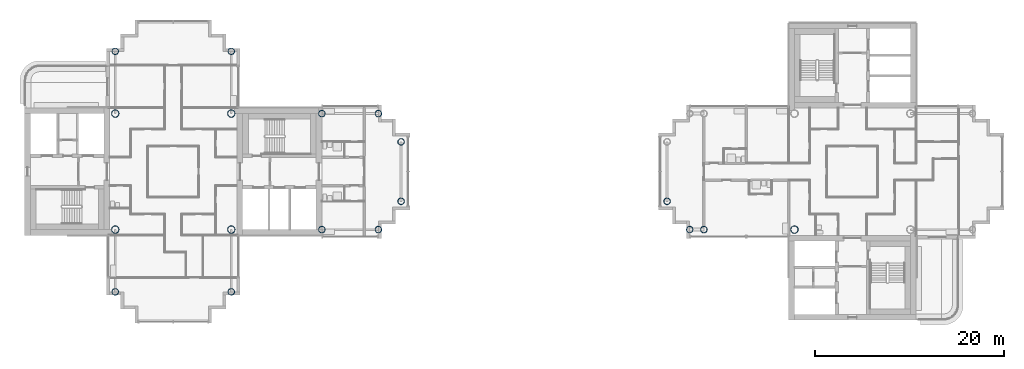
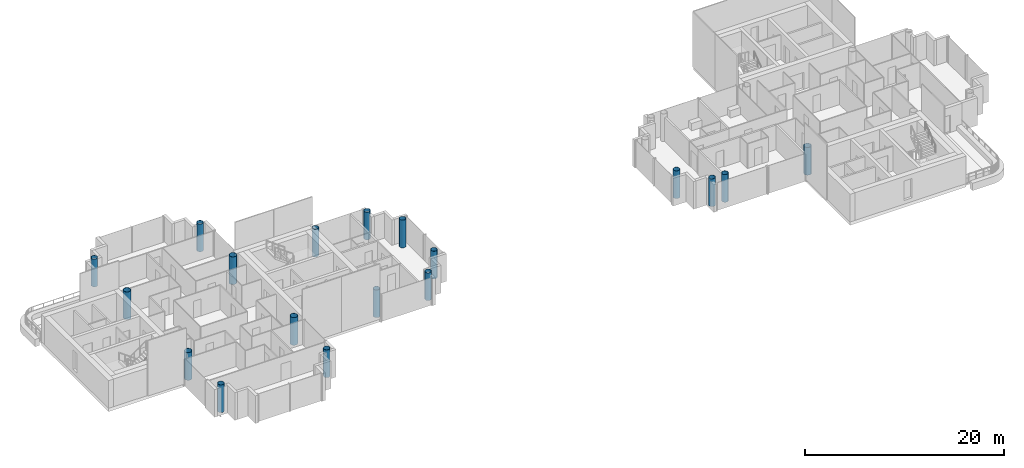
# One storey, part 1 of 18: 18 columns.
"""IFC4 building model written with IfcOpenShell, lengths in metres."""

import ifcopenshell
import ifcopenshell.guid

model = None  # the IFC model being written
_history = None  # IfcOwnerHistory: only IFC2X3 demands one
_inside = {}  # id of a spatial element -> (the spatial element, [elements in it])
_under = {}  # id of a project, library or spatial element -> (it, [spatial elements below it])
_declared = {}  # id of a project -> (the project, [libraries it declares])
_typed = {}  # id of a type object -> (the type object, [elements of that type])
_made_of = {}  # id of a material, layer set ... -> (it, [elements and type objects made of it])


def new_model(schema):
    """Start an empty IFC model of exactly this schema.

    Asked for "IFC4X3", IfcOpenShell would pick the latest addendum, in which some entities
    have other attributes; the version numbers below select the first issue.
    IFC2X3 requires an IfcOwnerHistory on every rooted entity: one is made here for all.
    """
    global model, _history
    if schema == "IFC4X3":
        model = ifcopenshell.file(schema_version=(4, 3, 0, 0))
    else:
        model = ifcopenshell.file(schema=schema)
    _inside.clear()
    _under.clear()
    _declared.clear()
    _typed.clear()
    _made_of.clear()
    _history = None
    if model.schema == "IFC2X3":
        org = make("IfcOrganization", Name="unknown")
        user = make(
            "IfcPersonAndOrganization",
            ThePerson=make("IfcPerson", FamilyName="unknown"),
            TheOrganization=org,
        )
        app = make(
            "IfcApplication",
            ApplicationDeveloper=org,
            Version="unknown",
            ApplicationFullName="unknown",
            ApplicationIdentifier="unknown",
        )
        _history = make(
            "IfcOwnerHistory",
            OwningUser=user,
            OwningApplication=app,
            ChangeAction="ADDED",
            CreationDate=0,
        )
    return model


def make(cls, **values):
    """One entity of the class cls with the attributes given. An attribute that is None is left unset."""
    return model.create_entity(
        cls, **{name: value for name, value in values.items() if value is not None}
    )


def rooted(cls, **values):
    """An entity with a GlobalId (a new one), such as an element, a storey or a relation."""
    return make(cls, GlobalId=ifcopenshell.guid.new(), OwnerHistory=_history, **values)


def si_unit(unit_type, name, prefix=None):
    """IfcSIUnit, for example si_unit("LENGTHUNIT", "METRE", prefix="MILLI")."""
    return make("IfcSIUnit", UnitType=unit_type, Prefix=prefix, Name=name)


def assignment(units):
    """IfcUnitAssignment: the units of a project."""
    return None if units is None else make("IfcUnitAssignment", Units=units)


def point(xyz):
    """IfcCartesianPoint."""
    return None if xyz is None else make("IfcCartesianPoint", Coordinates=xyz)


def direction(xyz):
    """IfcDirection."""
    return None if xyz is None else make("IfcDirection", DirectionRatios=xyz)


def frame(location, z_axis=None, x_axis=None):
    """IfcAxis2Placement3D, a coordinate frame: its origin and axes. An axis left out is left unset."""
    return make(
        "IfcAxis2Placement3D",
        Location=point(location),
        Axis=direction(z_axis),
        RefDirection=direction(x_axis),
    )


def frame_2d(location, x_axis=None):
    """IfcAxis2Placement2D, a coordinate frame in the plane: its origin and x axis."""
    return make(
        "IfcAxis2Placement2D", Location=point(location), RefDirection=direction(x_axis)
    )


def origin():
    """The frame at (0, 0, 0) with its axes left unset."""
    return frame((0.0, 0.0, 0.0))


def origin_2d():
    """The frame at (0, 0) in the plane with its x axis left unset."""
    return frame_2d((0.0, 0.0))


def place(relative_to, where):
    """IfcLocalPlacement: puts the frame where relative to a parent placement (None: the world)."""
    return make(
        "IfcLocalPlacement", PlacementRelTo=relative_to, RelativePlacement=where
    )


def context(
    kind, dimensions, precision=None, world=None, true_north=None, identifier=None
):
    """IfcGeometricRepresentationContext, for example the 3D "Model" context."""
    return make(
        "IfcGeometricRepresentationContext",
        ContextIdentifier=identifier,
        ContextType=kind,
        CoordinateSpaceDimension=dimensions,
        Precision=precision,
        WorldCoordinateSystem=world,
        TrueNorth=true_north,
    )


def subcontext(parent, identifier, kind, view, scale=None):
    """IfcGeometricRepresentationSubContext, for example "Body" below "Model"."""
    return make(
        "IfcGeometricRepresentationSubContext",
        ContextIdentifier=identifier,
        ContextType=kind,
        ParentContext=parent,
        TargetScale=scale,
        TargetView=view,
    )


def project(units=None, contexts=None):
    """IfcProject with its units and contexts."""
    return rooted(
        "IfcProject",
        Name="project",
        RepresentationContexts=contexts,
        UnitsInContext=assignment(units),
    )


def spatial(cls, under=None, at=None, **own):
    """A site, building, storey or space (cls), placed at a placement, below another one or the project."""
    s = rooted(cls, ObjectPlacement=at, **own)
    if under is not None:
        _under.setdefault(under.id(), (under, []))[1].append(s)
    return s


def profile(cls, at=None, kind="AREA", **sizes):
    """A parametric profile (cls). Its sizes go by their IFC names, for example OverallWidth=200.0."""
    return make(cls, ProfileType=kind, Position=at, **sizes)


def hollow_circle(**sizes):
    """IfcCircleHollowProfileDef."""
    return profile("IfcCircleHollowProfileDef", **sizes)


def extrude(swept, where, along, depth):
    """IfcExtrudedAreaSolid: the profile swept, set in the frame where, extruded along a direction by depth."""
    return make(
        "IfcExtrudedAreaSolid",
        SweptArea=swept,
        Position=where,
        ExtrudedDirection=direction(along),
        Depth=depth,
    )


def shape(context_of_items, identifier, shape_type, items):
    """IfcShapeRepresentation: the items that make up one representation, for example the "Body"."""
    return make(
        "IfcShapeRepresentation",
        ContextOfItems=context_of_items,
        RepresentationIdentifier=identifier,
        RepresentationType=shape_type,
        Items=items,
    )


def material(Name=None, Category=None):
    """IfcMaterial."""
    return make("IfcMaterial", Name=Name, Category=Category)


def material_profile(
    of_material, cross_section, Name=None, Category=None, Priority=None
):
    """IfcMaterialProfile: a cross section and its material."""
    return make(
        "IfcMaterialProfile",
        Name=Name,
        Material=of_material,
        Profile=cross_section,
        Priority=Priority,
        Category=Category,
    )


def profile_set(profiles, Name=None, composite=None):
    """IfcMaterialProfileSet."""
    return make(
        "IfcMaterialProfileSet",
        Name=Name,
        MaterialProfiles=profiles,
        CompositeProfile=composite,
    )


def made_of(thing, what):
    """Note that an element or type object is made of a material, layer set ...; save() writes the relation."""
    if what is not None:
        _made_of.setdefault(what.id(), (what, []))[1].append(thing)
    return thing


def type_object(cls, material=None, **own):
    """A type object (cls), such as IfcWallType, which elements share."""
    return made_of(rooted(cls, **own), material)


def element(
    cls,
    number,
    at=None,
    inside=None,
    cuts=None,
    type_object=None,
    material=None,
    context=None,
    identifier="Body",
    shape_type=None,
    held_by="IfcProductDefinitionShape",
    body=None,
    shapes=None,
    **own,
):
    """One element of the class cls, such as IfcWall. Its Tag is "e" and its number.

    at: its placement. inside: the storey or other place that contains it. cuts: it is an
    opening in that element (IfcRelVoidsElement). A single representation is given by context,
    identifier, shape_type and body (its items); several are given by shapes. held_by: the class
    of the entity that holds the representations. save() writes the other relations.
    """
    e = rooted(cls, Tag="e%d" % number, ObjectPlacement=at, **own)
    if body is not None:
        shapes = [shape(context, identifier, shape_type, body)]
    if shapes is not None:
        e.Representation = make(held_by, Representations=shapes)
    if inside is not None:
        _inside.setdefault(inside.id(), (inside, []))[1].append(e)
    if cuts is not None:
        rooted(
            "IfcRelVoidsElement", RelatingBuildingElement=cuts, RelatedOpeningElement=e
        )
    if type_object is not None:
        _typed.setdefault(type_object.id(), (type_object, []))[1].append(e)
    return made_of(e, material)


def aggregate(whole, parts):
    """IfcRelAggregates: a whole, such as a stair, and the parts it consists of."""
    return rooted("IfcRelAggregates", RelatingObject=whole, RelatedObjects=parts)


def save(model, path):
    """Write the relations noted so far, then the file.

    IfcRelAggregates (storeys below a building ...), IfcRelContainedInSpatialStructure (elements
    in a storey), IfcRelDefinesByType, IfcRelAssociatesMaterial and IfcRelDeclares: one each for
    every whole, place, type object, material and project.
    """
    for whole, parts in _under.values():
        aggregate(whole, parts)
    for where, things in _inside.values():
        rooted(
            "IfcRelContainedInSpatialStructure",
            RelatedElements=things,
            RelatingStructure=where,
        )
    for kind, things in _typed.values():
        rooted("IfcRelDefinesByType", RelatedObjects=things, RelatingType=kind)
    for what, things in _made_of.values():
        rooted("IfcRelAssociatesMaterial", RelatedObjects=things, RelatingMaterial=what)
    for by, libraries in _declared.values():
        rooted("IfcRelDeclares", RelatingContext=by, RelatedDefinitions=libraries)
    model.write(path)


model = new_model("IFC4")

# Units and contexts
model_context = context("Model", 3, precision=1e-05, world=origin(), true_north=direction((0.0, 1.0)))
body_context = subcontext(model_context, "Body", "Model", "MODEL_VIEW")
ifc_project = project(units=[si_unit("LENGTHUNIT", "METRE"), si_unit("AREAUNIT", "SQUARE_METRE"), si_unit("VOLUMEUNIT", "CUBIC_METRE"), si_unit("PLANEANGLEUNIT", "RADIAN"), si_unit("MASSUNIT", "GRAM", prefix="KILO")], contexts=[model_context])

# Site, building, storey
site_placement = place(None, origin())
site = spatial("IfcSite", under=ifc_project, at=site_placement, CompositionType="ELEMENT")
building_placement = place(site_placement, origin())
building = spatial("IfcBuilding", under=site, at=building_placement, Name="Ipe Terrace Towers", CompositionType="ELEMENT")
storey_placement = place(building_placement, frame((0.0, 0.0, 213.0)))
storey = spatial("IfcBuildingStorey", under=building, at=storey_placement, Name="L59", CompositionType="ELEMENT", Elevation=213.0)

# Columns
ifc_material_1 = material(Name="Steel S355 tube with Concrete C60/75 fill", Category="concrete")
ifc_material_profile_1 = material_profile(ifc_material_1, hollow_circle(Radius=0.35009765625, WallThickness=0.02490234375, at=origin_2d()), Name="CHS-700x25")
ifc_profile_set_1 = profile_set([ifc_material_profile_1], Name="Steel S355 tube with Concrete C60/75 fill")
column_type_1 = type_object("IfcColumnType", Name="CH08 COLUMN CHS-700x25", PredefinedType="COLUMN", material=ifc_profile_set_1)
for number, where, z_axis, x_axis, name in (
    (1, (-20.25, -6.14990234375, 0.0), (0.0, 0.0, 1.0), (1.0, 0.0, 0.0), "Column T1-C-A01"),
    (2, (-20.25, 6.14990234375, 0.0), (0.0, 0.0, 1.0), (1.0, 0.0, 0.0), "Column T1-C-A02"),
    (3, (-14.25, -6.14990234375, 0.0), (0.0, 0.0, 1.0), (1.0, 0.0, 0.0), "Column T1-C-A03"),
    (4, (-14.25, 6.14990234375, 0.0), (0.0, 0.0, 1.0), (1.0, 0.0, 0.0), "Column T1-C-A04"),
    (5, (-11.85009765625, -3.14990234375, 0.0), (0.0, 0.0, 1.0), (1.0, 0.0, 0.0), "Column T1-C-A05"),
    (6, (-11.85009765625, 3.14990234375, 0.0), (0.0, 0.0, 1.0), (1.0, 0.0, 0.0), "Column T1-C-A06"),
    (7, (-29.85009765625, 12.75, 0.0), (0.0, 0.0, 1.0), (1.0, 0.0, 0.0), "Column T1-C-B01"),
    (8, (-42.14990234375, 12.75, 0.0), (0.0, 0.0, 1.0), (1.0, 0.0, 0.0), "Column T1-C-B02"),
    (9, (-42.14990234375, -12.75, 0.0), (0.0, 0.0, 1.0), (1.0, 0.0, 0.0), "Column T1-C-D01"),
    (10, (-29.85009765625, -12.75, 0.0), (0.0, 0.0, 1.0), (1.0, 0.0, 0.0), "Column T1-C-D02"),
    (11, (20.25, -6.14990234375, 0.0), (0.0, 0.0, 1.0), (1.0, 0.0, 0.0), "Column T2-C-B04"),
    (12, (18.75, -6.14990234375, 0.0), (0.0, 0.0, 1.0), (1.0, 0.0, 0.0), "Column T2-C-B06"),
    (13, (16.35009765625, -3.14990234375, 0.0), (0.0, 0.0, 1.0), (1.0, 0.0, 0.0), "Column T2-C-B08"),
):
    element("IfcColumn", number, at=place(storey_placement, frame(where, z_axis=z_axis, x_axis=x_axis)), inside=storey, type_object=column_type_1, Name=name, PredefinedType="COLUMN", context=body_context, shape_type="SweptSolid", body=[
        extrude(hollow_circle(Radius=0.35009765625, WallThickness=0.02490234375, at=origin_2d()), origin(), (0.0, 0.0, 1.0), 3.39990234375),
    ])
ifc_material_2 = material(Name="Steel S355 tube with Concrete C60/75 fill", Category="concrete")
ifc_material_profile_2 = material_profile(ifc_material_2, hollow_circle(Radius=0.39990234375, WallThickness=0.028076171875, at=origin_2d()), Name="CHS-800x28")
ifc_profile_set_2 = profile_set([ifc_material_profile_2], Name="Steel S355 tube with Concrete C60/75 fill")
column_type_2 = type_object("IfcColumnType", Name="CH09 COLUMN CHS-800x28", PredefinedType="COLUMN", material=ifc_profile_set_2)
for number, where, z_axis, x_axis, name in (
    (14, (-42.14990234375, -6.14990234375, 0.0), (0.0, 0.0, 1.0), (1.0, 0.0, 0.0), "Column T1-C-E01"),
    (15, (-29.85009765625, -6.14990234375, 0.0), (0.0, 0.0, 1.0), (1.0, 0.0, 0.0), "Column T1-C-E02"),
    (16, (-29.85009765625, 6.14990234375, 0.0), (0.0, 0.0, 1.0), (1.0, 0.0, 0.0), "Column T1-C-E03"),
    (17, (-42.14990234375, 6.14990234375, 0.0), (0.0, 0.0, 1.0), (1.0, 0.0, 0.0), "Column T1-C-E04"),
    (18, (29.85009765625, -6.14990234375, 0.0), (0.0, 0.0, 1.0), (1.0, 0.0, 0.0), "Column T2-C-E04"),
):
    element("IfcColumn", number, at=place(storey_placement, frame(where, z_axis=z_axis, x_axis=x_axis)), inside=storey, type_object=column_type_2, Name=name, PredefinedType="COLUMN", context=body_context, shape_type="SweptSolid", body=[
        extrude(hollow_circle(Radius=0.39990234375, WallThickness=0.028076171875, at=origin_2d()), origin(), (0.0, 0.0, 1.0), 3.39990234375),
    ])

save(model, "model.ifc")
